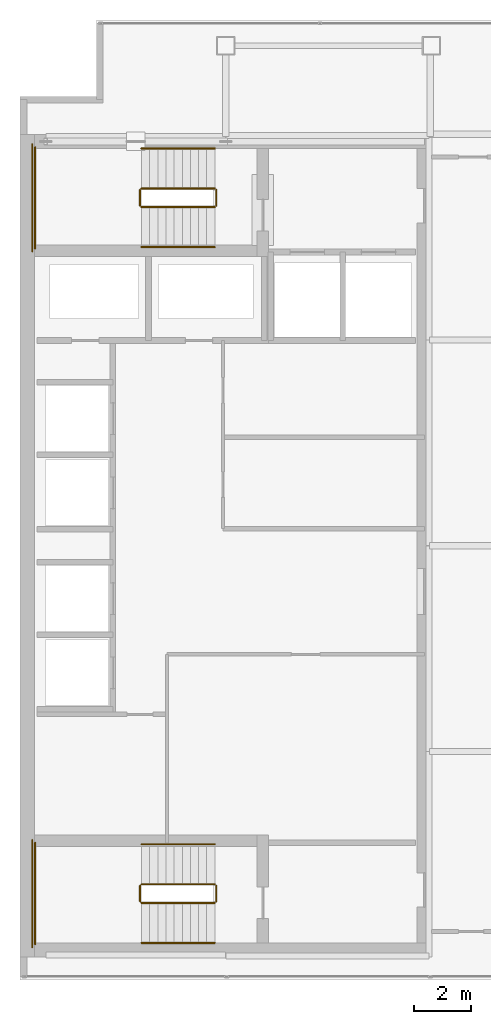
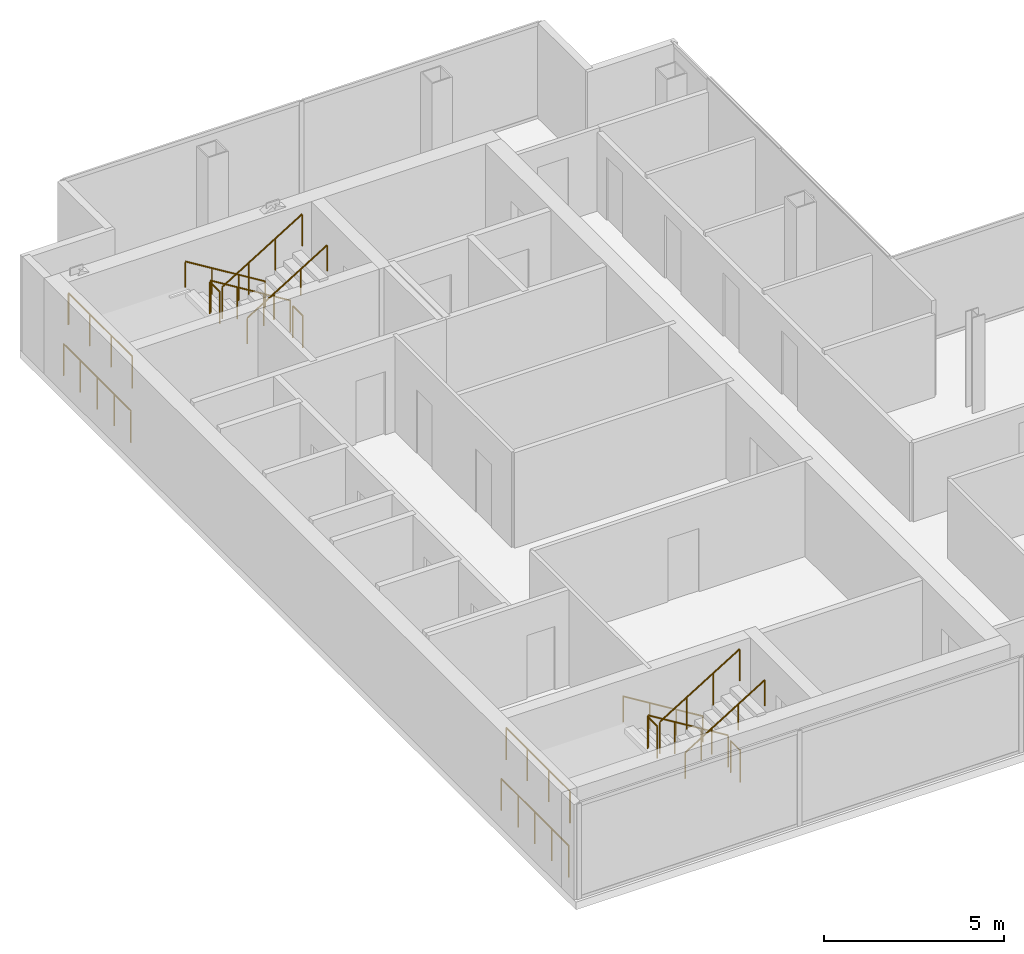
# One storey, part 23 of 23: 16 railings.
"""IFC4 building model written with IfcOpenShell, lengths in metres."""

from ifc_helpers import new_model, si_unit, direction, frame, origin, origin_2d, place, context, subcontext, project, spatial, circle, extrude, material, type_object, element, save


model = new_model("IFC4")

# Units and contexts
model_context = context("Model", 3, precision=1e-05, world=origin(), true_north=direction((0.0, 1.0)))
body_context = subcontext(model_context, "Body", "Model", "MODEL_VIEW")
ifc_project = project(units=[si_unit("LENGTHUNIT", "METRE"), si_unit("AREAUNIT", "SQUARE_METRE"), si_unit("VOLUMEUNIT", "CUBIC_METRE"), si_unit("PLANEANGLEUNIT", "RADIAN"), si_unit("MASSUNIT", "GRAM", prefix="KILO")], contexts=[model_context])

# Site, building, storey
site_placement = place(None, origin())
site = spatial("IfcSite", under=ifc_project, at=site_placement, CompositionType="ELEMENT")
building_placement = place(site_placement, origin())
building = spatial("IfcBuilding", under=site, at=building_placement, Name="Cobrela Telecom Tower", CompositionType="ELEMENT")
storey_placement = place(building_placement, frame((0.0, 0.0, 283.14990234375)))
storey = spatial("IfcBuildingStorey", under=building, at=storey_placement, Name="L74", CompositionType="ELEMENT", Elevation=283.14990234375)

# Railings
ifc_material = material(Name="Steel ASTM A36", Category="steel")
railing_type_1 = type_object("IfcRailingType", Name="RAIL-GUARD-1100", PredefinedType="GUARDRAIL", material=ifc_material)
railing_1_placement = place(storey_placement, frame((6.820068359375, 34.10009765625, 0.175048828125)))
element("IfcRailing", 1, at=railing_1_placement, inside=storey, type_object=railing_type_1, Name="L74 ST1 stair guard 1", PredefinedType="GUARDRAIL", context=body_context, shape_type="SweptSolid", body=[
    extrude(circle(Radius=0.02392578125, at=origin_2d()), frame((0.0, 0.0, 1.076171875), z_axis=(-0.852195335862, 0.0, 0.523223766217), x_axis=(0.0, -1.0, 0.0)), (0.0, 0.0, 1.0), 3.010009765625),
    extrude(circle(Radius=0.02099609375, at=origin_2d()), origin(), (0.0, 0.0, 1.0), 1.052001953125),
    extrude(circle(Radius=0.02099609375, at=origin_2d()), frame((-0.85498046875, 0.0, 0.52490234375)), (0.0, 0.0, 1.0), 1.052001953125),
    extrude(circle(Radius=0.02099609375, at=origin_2d()), frame((-1.710205078125, 0.0, 1.050048828125)), (0.0, 0.0, 1.0), 1.052001953125),
    extrude(circle(Radius=0.02099609375, at=origin_2d()), frame((-2.565185546875, 0.0, 1.574951171875)), (0.0, 0.0, 1.0), 1.052001953125),
])
railing_2_placement = place(storey_placement, frame((4.205078125, 34.050048828125, 1.75)))
element("IfcRailing", 2, at=railing_2_placement, inside=storey, type_object=railing_type_1, Name="L74 ST1 stair guard 2", PredefinedType="GUARDRAIL", context=body_context, shape_type="SweptSolid", body=[
    extrude(circle(Radius=0.02392578125, at=origin_2d()), frame((0.0, 0.0, 1.076171875), z_axis=(0.0, -1.0, 0.0), x_axis=(1.0, 0.0, 0.0)), (0.0, 0.0, 1.0), 0.550048828125),
    extrude(circle(Radius=0.02099609375, at=origin_2d()), origin(), (0.0, 0.0, 1.0), 1.052001953125),
    extrude(circle(Radius=0.02099609375, at=origin_2d()), frame((0.0, -0.550048828125, 0.0)), (0.0, 0.0, 1.0), 1.052001953125),
])
railing_3_placement = place(storey_placement, frame((0.530029296875, 35.550048828125, 1.75)))
element("IfcRailing", 3, at=railing_3_placement, inside=storey, type_object=railing_type_1, Name="L74 ST1 stair guard 3", PredefinedType="GUARDRAIL", context=body_context, shape_type="SweptSolid", body=[
    extrude(circle(Radius=0.02392578125, at=origin_2d()), frame((0.0, 0.0, 1.076171875), z_axis=(0.0, -1.0, 0.0), x_axis=(1.0, 0.0, 0.0)), (0.0, 0.0, 1.0), 3.550048828125),
    extrude(circle(Radius=0.02099609375, at=origin_2d()), origin(), (0.0, 0.0, 1.0), 1.052001953125),
    extrude(circle(Radius=0.02099609375, at=origin_2d()), frame((0.0, -1.183349609375, 0.0)), (0.0, 0.0, 1.0), 1.052001953125),
    extrude(circle(Radius=0.02099609375, at=origin_2d()), frame((0.0, -2.36669921875, 0.0)), (0.0, 0.0, 1.0), 1.052001953125),
    extrude(circle(Radius=0.02099609375, at=origin_2d()), frame((0.0, -3.550048828125, 0.0)), (0.0, 0.0, 1.0), 1.052001953125),
])
railing_4_placement = place(storey_placement, frame((4.2548828125, 33.449951171875, 1.925048828125)))
element("IfcRailing", 4, at=railing_4_placement, inside=storey, type_object=railing_type_1, Name="L74 ST1 stair guard 4", PredefinedType="GUARDRAIL", context=body_context, shape_type="SweptSolid", body=[
    extrude(circle(Radius=0.02392578125, at=origin_2d()), frame((0.0, 0.0, 1.076171875), z_axis=(0.852195335862, 0.0, 0.523223766217), x_axis=(0.0, 1.0, 0.0)), (0.0, 0.0, 1.0), 3.010009765625),
    extrude(circle(Radius=0.02099609375, at=origin_2d()), origin(), (0.0, 0.0, 1.0), 1.052001953125),
    extrude(circle(Radius=0.02099609375, at=origin_2d()), frame((0.85498046875, 0.0, 0.52490234375)), (0.0, 0.0, 1.0), 1.052001953125),
    extrude(circle(Radius=0.02099609375, at=origin_2d()), frame((1.710205078125, 0.0, 1.050048828125)), (0.0, 0.0, 1.0), 1.052001953125),
    extrude(circle(Radius=0.02099609375, at=origin_2d()), frame((2.565185546875, 0.0, 1.574951171875)), (0.0, 0.0, 1.0), 1.052001953125),
])
railing_5_placement = place(storey_placement, frame((6.8701171875, 34.050048828125, 0.0)))
element("IfcRailing", 5, at=railing_5_placement, inside=storey, type_object=railing_type_1, Name="L74 ST1 stair guard 5", PredefinedType="GUARDRAIL", context=body_context, shape_type="SweptSolid", body=[
    extrude(circle(Radius=0.02392578125, at=origin_2d()), frame((0.0, 0.0, 1.076171875), z_axis=(0.0, -1.0, 0.0), x_axis=(1.0, 0.0, 0.0)), (0.0, 0.0, 1.0), 0.550048828125),
    extrude(circle(Radius=0.02099609375, at=origin_2d()), origin(), (0.0, 0.0, 1.0), 1.052001953125),
    extrude(circle(Radius=0.02099609375, at=origin_2d()), frame((0.0, -0.550048828125, 0.0)), (0.0, 0.0, 1.0), 1.052001953125),
])
railing_6_placement = place(storey_placement, frame((0.429931640625, 35.64990234375, 0.0)))
element("IfcRailing", 6, at=railing_6_placement, inside=storey, type_object=railing_type_1, Name="L74 ST1 stair guard 6", PredefinedType="GUARDRAIL", context=body_context, shape_type="SweptSolid", body=[
    extrude(circle(Radius=0.02392578125, at=origin_2d()), frame((0.0, 0.0, 1.076171875), z_axis=(0.0, -1.0, 0.0), x_axis=(1.0, 0.0, 0.0)), (0.0, 0.0, 1.0), 3.75),
    extrude(circle(Radius=0.02099609375, at=origin_2d()), origin(), (0.0, 0.0, 1.0), 1.052001953125),
    extrude(circle(Radius=0.02099609375, at=origin_2d()), frame((0.0, -0.9375, 0.0)), (0.0, 0.0, 1.0), 1.052001953125),
    extrude(circle(Radius=0.02099609375, at=origin_2d()), frame((0.0, -1.875, 0.0)), (0.0, 0.0, 1.0), 1.052001953125),
    extrude(circle(Radius=0.02099609375, at=origin_2d()), frame((0.0, -2.8125, 0.0)), (0.0, 0.0, 1.0), 1.052001953125),
    extrude(circle(Radius=0.02099609375, at=origin_2d()), frame((0.0, -3.75, 0.0)), (0.0, 0.0, 1.0), 1.052001953125),
])
railing_7_placement = place(storey_placement, frame((6.820068359375, 9.75, 0.175048828125)))
element("IfcRailing", 7, at=railing_7_placement, inside=storey, type_object=railing_type_1, Name="L74 ST2 stair guard 1", PredefinedType="GUARDRAIL", context=body_context, shape_type="SweptSolid", body=[
    extrude(circle(Radius=0.02392578125, at=origin_2d()), frame((0.0, 0.0, 1.076171875), z_axis=(-0.852195335862, 0.0, 0.523223766217), x_axis=(0.0, -1.0, 0.0)), (0.0, 0.0, 1.0), 3.010009765625),
    extrude(circle(Radius=0.02099609375, at=origin_2d()), origin(), (0.0, 0.0, 1.0), 1.052001953125),
    extrude(circle(Radius=0.02099609375, at=origin_2d()), frame((-0.85498046875, 0.0, 0.52490234375)), (0.0, 0.0, 1.0), 1.052001953125),
    extrude(circle(Radius=0.02099609375, at=origin_2d()), frame((-1.710205078125, 0.0, 1.050048828125)), (0.0, 0.0, 1.0), 1.052001953125),
    extrude(circle(Radius=0.02099609375, at=origin_2d()), frame((-2.565185546875, 0.0, 1.574951171875)), (0.0, 0.0, 1.0), 1.052001953125),
])
railing_8_placement = place(storey_placement, frame((4.205078125, 9.699951171875, 1.75)))
element("IfcRailing", 8, at=railing_8_placement, inside=storey, type_object=railing_type_1, Name="L74 ST2 stair guard 2", PredefinedType="GUARDRAIL", context=body_context, shape_type="SweptSolid", body=[
    extrude(circle(Radius=0.02392578125, at=origin_2d()), frame((0.0, 0.0, 1.076171875), z_axis=(0.0, -1.0, 0.0), x_axis=(1.0, 0.0, 0.0)), (0.0, 0.0, 1.0), 0.550048828125),
    extrude(circle(Radius=0.02099609375, at=origin_2d()), origin(), (0.0, 0.0, 1.0), 1.052001953125),
    extrude(circle(Radius=0.02099609375, at=origin_2d()), frame((0.0, -0.550048828125, 0.0)), (0.0, 0.0, 1.0), 1.052001953125),
])
railing_9_placement = place(storey_placement, frame((0.530029296875, 11.199951171875, 1.75)))
element("IfcRailing", 9, at=railing_9_placement, inside=storey, type_object=railing_type_1, Name="L74 ST2 stair guard 3", PredefinedType="GUARDRAIL", context=body_context, shape_type="SweptSolid", body=[
    extrude(circle(Radius=0.02392578125, at=origin_2d()), frame((0.0, 0.0, 1.076171875), z_axis=(0.0, -1.0, 0.0), x_axis=(1.0, 0.0, 0.0)), (0.0, 0.0, 1.0), 3.550048828125),
    extrude(circle(Radius=0.02099609375, at=origin_2d()), origin(), (0.0, 0.0, 1.0), 1.052001953125),
    extrude(circle(Radius=0.02099609375, at=origin_2d()), frame((0.0, -1.183349609375, 0.0)), (0.0, 0.0, 1.0), 1.052001953125),
    extrude(circle(Radius=0.02099609375, at=origin_2d()), frame((0.0, -2.36669921875, 0.0)), (0.0, 0.0, 1.0), 1.052001953125),
    extrude(circle(Radius=0.02099609375, at=origin_2d()), frame((0.0, -3.550048828125, 0.0)), (0.0, 0.0, 1.0), 1.052001953125),
])
railing_10_placement = place(storey_placement, frame((4.2548828125, 9.10009765625, 1.925048828125)))
element("IfcRailing", 10, at=railing_10_placement, inside=storey, type_object=railing_type_1, Name="L74 ST2 stair guard 4", PredefinedType="GUARDRAIL", context=body_context, shape_type="SweptSolid", body=[
    extrude(circle(Radius=0.02392578125, at=origin_2d()), frame((0.0, 0.0, 1.076171875), z_axis=(0.852195335862, 0.0, 0.523223766217), x_axis=(0.0, 1.0, 0.0)), (0.0, 0.0, 1.0), 3.010009765625),
    extrude(circle(Radius=0.02099609375, at=origin_2d()), origin(), (0.0, 0.0, 1.0), 1.052001953125),
    extrude(circle(Radius=0.02099609375, at=origin_2d()), frame((0.85498046875, 0.0, 0.52490234375)), (0.0, 0.0, 1.0), 1.052001953125),
    extrude(circle(Radius=0.02099609375, at=origin_2d()), frame((1.710205078125, 0.0, 1.050048828125)), (0.0, 0.0, 1.0), 1.052001953125),
    extrude(circle(Radius=0.02099609375, at=origin_2d()), frame((2.565185546875, 0.0, 1.574951171875)), (0.0, 0.0, 1.0), 1.052001953125),
])
railing_11_placement = place(storey_placement, frame((6.8701171875, 9.699951171875, 0.0)))
element("IfcRailing", 11, at=railing_11_placement, inside=storey, type_object=railing_type_1, Name="L74 ST2 stair guard 5", PredefinedType="GUARDRAIL", context=body_context, shape_type="SweptSolid", body=[
    extrude(circle(Radius=0.02392578125, at=origin_2d()), frame((0.0, 0.0, 1.076171875), z_axis=(0.0, -1.0, 0.0), x_axis=(1.0, 0.0, 0.0)), (0.0, 0.0, 1.0), 0.550048828125),
    extrude(circle(Radius=0.02099609375, at=origin_2d()), origin(), (0.0, 0.0, 1.0), 1.052001953125),
    extrude(circle(Radius=0.02099609375, at=origin_2d()), frame((0.0, -0.550048828125, 0.0)), (0.0, 0.0, 1.0), 1.052001953125),
])
railing_12_placement = place(storey_placement, frame((0.429931640625, 11.300048828125, 0.0)))
element("IfcRailing", 12, at=railing_12_placement, inside=storey, type_object=railing_type_1, Name="L74 ST2 stair guard 6", PredefinedType="GUARDRAIL", context=body_context, shape_type="SweptSolid", body=[
    extrude(circle(Radius=0.02392578125, at=origin_2d()), frame((0.0, 0.0, 1.076171875), z_axis=(0.0, -1.0, 0.0), x_axis=(1.0, 0.0, 0.0)), (0.0, 0.0, 1.0), 3.75),
    extrude(circle(Radius=0.02099609375, at=origin_2d()), origin(), (0.0, 0.0, 1.0), 1.052001953125),
    extrude(circle(Radius=0.02099609375, at=origin_2d()), frame((0.0, -0.9375, 0.0)), (0.0, 0.0, 1.0), 1.052001953125),
    extrude(circle(Radius=0.02099609375, at=origin_2d()), frame((0.0, -1.875, 0.0)), (0.0, 0.0, 1.0), 1.052001953125),
    extrude(circle(Radius=0.02099609375, at=origin_2d()), frame((0.0, -2.8125, 0.0)), (0.0, 0.0, 1.0), 1.052001953125),
    extrude(circle(Radius=0.02099609375, at=origin_2d()), frame((0.0, -3.75, 0.0)), (0.0, 0.0, 1.0), 1.052001953125),
])
railing_type_2 = type_object("IfcRailingType", Name="RAIL-HAND-920", PredefinedType="HANDRAIL", material=ifc_material)
railing_13_placement = place(storey_placement, frame((6.820068359375, 35.5, 0.175048828125)))
element("IfcRailing", 13, at=railing_13_placement, inside=storey, type_object=railing_type_2, Name="L74 ST1 stair handrail 1", PredefinedType="HANDRAIL", context=body_context, shape_type="SweptSolid", body=[
    extrude(circle(Radius=0.02392578125, at=origin_2d()), frame((0.0, 0.0, 0.8759765625), z_axis=(-0.852195335862, 0.0, 0.523223766217), x_axis=(0.0, -1.0, 0.0)), (0.0, 0.0, 1.0), 3.010009765625),
    extrude(circle(Radius=0.02099609375, at=origin_2d()), origin(), (0.0, 0.0, 1.0), 0.851806640625),
    extrude(circle(Radius=0.02099609375, at=origin_2d()), frame((-0.85498046875, 0.0, 0.52490234375)), (0.0, 0.0, 1.0), 0.851806640625),
    extrude(circle(Radius=0.02099609375, at=origin_2d()), frame((-1.710205078125, 0.0, 1.050048828125)), (0.0, 0.0, 1.0), 0.851806640625),
    extrude(circle(Radius=0.02099609375, at=origin_2d()), frame((-2.565185546875, 0.0, 1.574951171875)), (0.0, 0.0, 1.0), 0.851806640625),
])
railing_14_placement = place(storey_placement, frame((4.2548828125, 32.050048828125, 1.925048828125)))
element("IfcRailing", 14, at=railing_14_placement, inside=storey, type_object=railing_type_2, Name="L74 ST1 stair handrail 2", PredefinedType="HANDRAIL", context=body_context, shape_type="SweptSolid", body=[
    extrude(circle(Radius=0.02392578125, at=origin_2d()), frame((0.0, 0.0, 0.8759765625), z_axis=(0.852195335862, 0.0, 0.523223766217), x_axis=(0.0, 1.0, 0.0)), (0.0, 0.0, 1.0), 3.010009765625),
    extrude(circle(Radius=0.02099609375, at=origin_2d()), origin(), (0.0, 0.0, 1.0), 0.851806640625),
    extrude(circle(Radius=0.02099609375, at=origin_2d()), frame((0.85498046875, 0.0, 0.52490234375)), (0.0, 0.0, 1.0), 0.851806640625),
    extrude(circle(Radius=0.02099609375, at=origin_2d()), frame((1.710205078125, 0.0, 1.050048828125)), (0.0, 0.0, 1.0), 0.851806640625),
    extrude(circle(Radius=0.02099609375, at=origin_2d()), frame((2.565185546875, 0.0, 1.574951171875)), (0.0, 0.0, 1.0), 0.851806640625),
])
railing_15_placement = place(storey_placement, frame((6.820068359375, 11.14990234375, 0.175048828125)))
element("IfcRailing", 15, at=railing_15_placement, inside=storey, type_object=railing_type_2, Name="L74 ST2 stair handrail 1", PredefinedType="HANDRAIL", context=body_context, shape_type="SweptSolid", body=[
    extrude(circle(Radius=0.02392578125, at=origin_2d()), frame((0.0, 0.0, 0.8759765625), z_axis=(-0.852195335862, 0.0, 0.523223766217), x_axis=(0.0, -1.0, 0.0)), (0.0, 0.0, 1.0), 3.010009765625),
    extrude(circle(Radius=0.02099609375, at=origin_2d()), origin(), (0.0, 0.0, 1.0), 0.851806640625),
    extrude(circle(Radius=0.02099609375, at=origin_2d()), frame((-0.85498046875, 0.0, 0.52490234375)), (0.0, 0.0, 1.0), 0.851806640625),
    extrude(circle(Radius=0.02099609375, at=origin_2d()), frame((-1.710205078125, 0.0, 1.050048828125)), (0.0, 0.0, 1.0), 0.851806640625),
    extrude(circle(Radius=0.02099609375, at=origin_2d()), frame((-2.565185546875, 0.0, 1.574951171875)), (0.0, 0.0, 1.0), 0.851806640625),
])
railing_16_placement = place(storey_placement, frame((4.2548828125, 7.699951171875, 1.925048828125)))
element("IfcRailing", 16, at=railing_16_placement, inside=storey, type_object=railing_type_2, Name="L74 ST2 stair handrail 2", PredefinedType="HANDRAIL", context=body_context, shape_type="SweptSolid", body=[
    extrude(circle(Radius=0.02392578125, at=origin_2d()), frame((0.0, 0.0, 0.8759765625), z_axis=(0.852195335862, 0.0, 0.523223766217), x_axis=(0.0, 1.0, 0.0)), (0.0, 0.0, 1.0), 3.010009765625),
    extrude(circle(Radius=0.02099609375, at=origin_2d()), origin(), (0.0, 0.0, 1.0), 0.851806640625),
    extrude(circle(Radius=0.02099609375, at=origin_2d()), frame((0.85498046875, 0.0, 0.52490234375)), (0.0, 0.0, 1.0), 0.851806640625),
    extrude(circle(Radius=0.02099609375, at=origin_2d()), frame((1.710205078125, 0.0, 1.050048828125)), (0.0, 0.0, 1.0), 0.851806640625),
    extrude(circle(Radius=0.02099609375, at=origin_2d()), frame((2.565185546875, 0.0, 1.574951171875)), (0.0, 0.0, 1.0), 0.851806640625),
])

save(model, "model.ifc")
